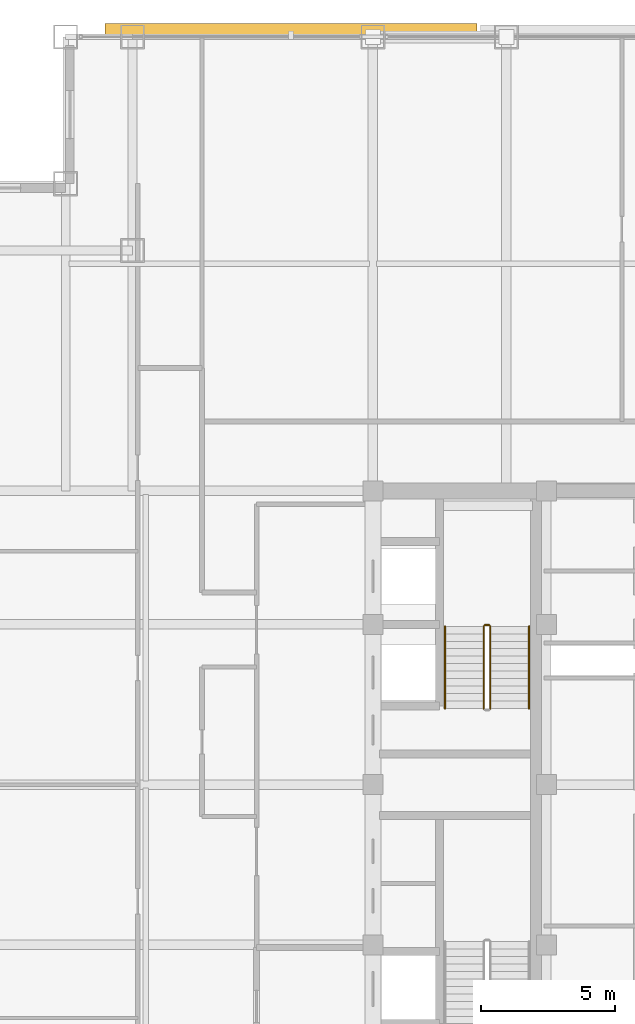
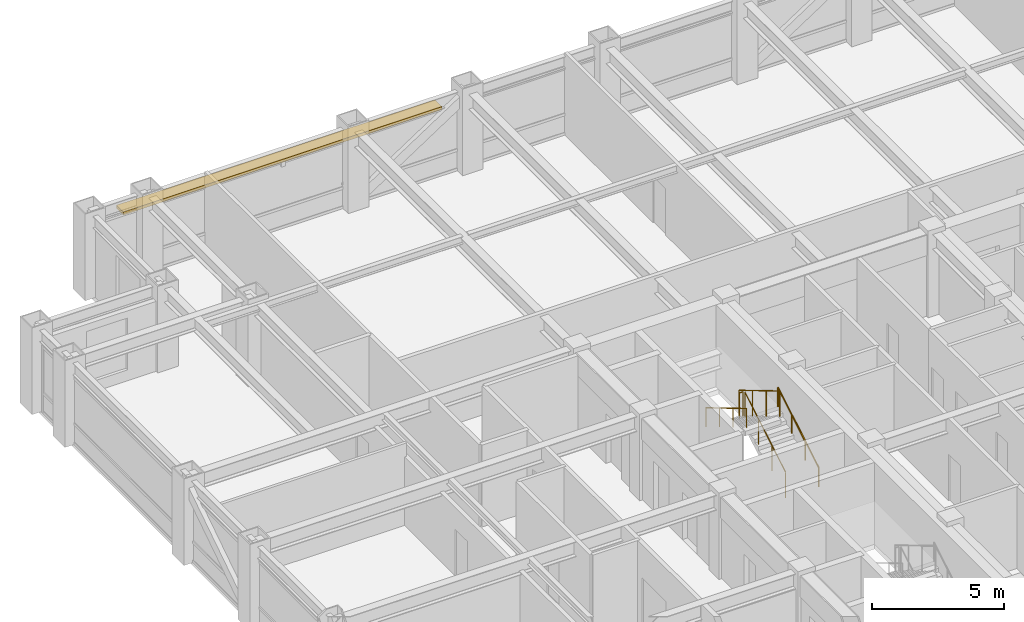
# One storey, part 26 of 27: 5 railings, 1 shading device.
"""IFC4 building model written with IfcOpenShell, lengths in metres."""

from ifc_helpers import new_model, si_unit, direction, frame, origin, origin_2d, place, context, subcontext, project, spatial, rectangle, circle, extrude, source, transform, mapped, material, layer, layer_set, type_object, element, save


model = new_model("IFC4")

# Units and contexts
model_context = context("Model", 3, precision=1e-05, world=origin(), true_north=direction((0.0, 1.0)))
body_context = subcontext(model_context, "Body", "Model", "MODEL_VIEW")
ifc_project = project(units=[si_unit("LENGTHUNIT", "METRE"), si_unit("AREAUNIT", "SQUARE_METRE"), si_unit("VOLUMEUNIT", "CUBIC_METRE"), si_unit("PLANEANGLEUNIT", "RADIAN"), si_unit("MASSUNIT", "GRAM", prefix="KILO")], contexts=[model_context])

# Site, building, storey
site_placement = place(None, origin())
site = spatial("IfcSite", under=ifc_project, at=site_placement, CompositionType="ELEMENT")
building_placement = place(site_placement, origin())
building = spatial("IfcBuilding", under=site, at=building_placement, Name="Khorayat Bourse Tower", CompositionType="ELEMENT")
storey_placement = place(building_placement, frame((0.0, 0.0, 317.5)))
storey = spatial("IfcBuildingStorey", under=building, at=storey_placement, Name="L75", CompositionType="ELEMENT", Elevation=317.5)

# Shading device
ifc_material_1 = material(Name="Precast concrete C45/55", Category="concrete")
ifc_layer = layer(ifc_material_1, 0.139892578125)
ifc_layer_set = layer_set([ifc_layer], Name="Precast concrete C45/55")
shading_device_type = type_object("IfcShadingDeviceType", Name="SHD-WAVE-TRAY-A", PredefinedType="USERDEFINED", material=ifc_layer_set)
shared_shape_1 = source(origin(), body_context, "Body", "SweptSolid", [
    extrude(rectangle(XDim=13.9267578125, YDim=0.523193359375, at=origin_2d()), origin(), (0.0, 0.0, 1.0), 0.139892578125),
])
shading_device_placement = place(storey_placement, frame((-14.066650390625, 28.24169921875, 3.0302734375), z_axis=(0.0, 0.0, 1.0), x_axis=(1.0, 0.0, 0.0)))
element("IfcShadingDevice", 1, at=shading_device_placement, inside=storey, type_object=shading_device_type, Name="L75 Sinusoidal Wave Sunshade Tray N-1", ObjectType="SUNSHADE", PredefinedType="USERDEFINED", context=body_context, shape_type="MappedRepresentation", body=[
    mapped(shared_shape_1, transform((0.0, 0.0, 0.0), scale=1.0)),
])

# Railings
ifc_material_2 = material(Name="Powder-coated steel balustrade", Category="steel")
railing_type_1 = type_object("IfcRailingType", Name="RLG-GUARD-1200", PredefinedType="GUARDRAIL", material=ifc_material_2)
shared_shape_2 = source(origin(), body_context, "Body", "SweptSolid", [
    extrude(circle(Radius=0.02392578125, at=origin_2d()), frame((0.0, 0.0, 1.17578125), z_axis=(-1.0, 0.0, 0.0), x_axis=(0.0, -1.0, 0.0)), (0.0, 0.0, 1.0), 0.150146484375),
    extrude(circle(Radius=0.02099609375, at=origin_2d()), origin(), (0.0, 0.0, 1.0), 1.15185546875),
    extrude(circle(Radius=0.02099609375, at=origin_2d()), frame((-0.150146484375, 0.0, 0.0)), (0.0, 0.0, 1.0), 1.15185546875),
])
railing_1_placement = place(storey_placement, frame((-6.64990234375, 5.97998046875, 2.0)))
element("IfcRailing", 2, at=railing_1_placement, inside=storey, type_object=railing_type_1, Name="L75 ST-2 stair guard 2", PredefinedType="GUARDRAIL", context=body_context, shape_type="MappedRepresentation", body=[
    mapped(shared_shape_2, transform((0.0, 0.0, 0.0), scale=1.0)),
])
shared_shape_3 = source(origin(), body_context, "Body", "SweptSolid", [
    extrude(circle(Radius=0.02392578125, at=origin_2d()), frame((0.0, 0.0, 1.17578125), z_axis=(0.0, 0.859290745958, 0.51148745235), x_axis=(-1.0, 0.0, 0.0)), (0.0, 0.0, 1.0), 3.584228515625),
    extrude(circle(Radius=0.02099609375, at=origin_2d()), origin(), (0.0, 0.0, 1.0), 1.15185546875),
    extrude(circle(Radius=0.02099609375, at=origin_2d()), frame((0.0, 1.026611328125, 0.611083984375)), (0.0, 0.0, 1.0), 1.15185546875),
    extrude(circle(Radius=0.02099609375, at=origin_2d()), frame((0.0, 2.05322265625, 1.22216796875)), (0.0, 0.0, 1.0), 1.15185546875),
    extrude(circle(Radius=0.02099609375, at=origin_2d()), frame((0.0, 3.079833984375, 1.833251953125)), (0.0, 0.0, 1.0), 1.15185546875),
])
railing_2_placement = place(storey_placement, frame((-6.60009765625, 2.85009765625, 0.166748046875)))
element("IfcRailing", 3, at=railing_2_placement, inside=storey, type_object=railing_type_1, Name="L75 ST-2 stair guard 1", PredefinedType="GUARDRAIL", context=body_context, shape_type="MappedRepresentation", body=[
    mapped(shared_shape_3, transform((0.0, 0.0, 0.0), scale=1.0)),
])
shared_shape_4 = source(origin(), body_context, "Body", "SweptSolid", [
    extrude(circle(Radius=0.02392578125, at=origin_2d()), frame((0.0, 0.0, 1.17578125), z_axis=(0.0, -0.859290745958, 0.51148745235), x_axis=(1.0, 0.0, 0.0)), (0.0, 0.0, 1.0), 3.584228515625),
    extrude(circle(Radius=0.02099609375, at=origin_2d()), origin(), (0.0, 0.0, 1.0), 1.15185546875),
    extrude(circle(Radius=0.02099609375, at=origin_2d()), frame((0.0, -1.026611328125, 0.611083984375)), (0.0, 0.0, 1.0), 1.15185546875),
    extrude(circle(Radius=0.02099609375, at=origin_2d()), frame((0.0, -2.05322265625, 1.22216796875)), (0.0, 0.0, 1.0), 1.15185546875),
    extrude(circle(Radius=0.02099609375, at=origin_2d()), frame((0.0, -3.079833984375, 1.833251953125)), (0.0, 0.0, 1.0), 1.15185546875),
])
railing_3_placement = place(storey_placement, frame((-6.85009765625, 5.929931640625, 2.166748046875)))
element("IfcRailing", 4, at=railing_3_placement, inside=storey, type_object=railing_type_1, Name="L75 ST-2 stair guard 3", PredefinedType="GUARDRAIL", context=body_context, shape_type="MappedRepresentation", body=[
    mapped(shared_shape_4, transform((0.0, 0.0, 0.0), scale=1.0)),
])
ifc_material_3 = material(Name="Brushed bronze stainless-steel handrail", Category="steel")
railing_type_2 = type_object("IfcRailingType", Name="RLG-HAND-900", PredefinedType="HANDRAIL", material=ifc_material_3)
shared_shape_5 = source(origin(), body_context, "Body", "SweptSolid", [
    extrude(circle(Radius=0.02392578125, at=origin_2d()), frame((0.0, 0.0, 0.8759765625), z_axis=(0.0, 0.859290745958, 0.51148745235), x_axis=(-1.0, 0.0, 0.0)), (0.0, 0.0, 1.0), 3.584228515625),
    extrude(circle(Radius=0.02099609375, at=origin_2d()), origin(), (0.0, 0.0, 1.0), 0.851806640625),
    extrude(circle(Radius=0.02099609375, at=origin_2d()), frame((0.0, 1.026611328125, 0.611083984375)), (0.0, 0.0, 1.0), 0.851806640625),
    extrude(circle(Radius=0.02099609375, at=origin_2d()), frame((0.0, 2.05322265625, 1.22216796875)), (0.0, 0.0, 1.0), 0.851806640625),
    extrude(circle(Radius=0.02099609375, at=origin_2d()), frame((0.0, 3.079833984375, 1.833251953125)), (0.0, 0.0, 1.0), 0.851806640625),
])
railing_4_placement = place(storey_placement, frame((-5.14990234375, 2.85009765625, 0.166748046875)))
element("IfcRailing", 5, at=railing_4_placement, inside=storey, type_object=railing_type_2, Name="L75 ST-2 stair handrail 1", PredefinedType="HANDRAIL", context=body_context, shape_type="MappedRepresentation", body=[
    mapped(shared_shape_5, transform((0.0, 0.0, 0.0), scale=1.0)),
])
shared_shape_6 = source(origin(), body_context, "Body", "SweptSolid", [
    extrude(circle(Radius=0.02392578125, at=origin_2d()), frame((0.0, 0.0, 0.8759765625), z_axis=(0.0, -0.859290745958, 0.51148745235), x_axis=(1.0, 0.0, 0.0)), (0.0, 0.0, 1.0), 3.584228515625),
    extrude(circle(Radius=0.02099609375, at=origin_2d()), origin(), (0.0, 0.0, 1.0), 0.851806640625),
    extrude(circle(Radius=0.02099609375, at=origin_2d()), frame((0.0, -1.026611328125, 0.611083984375)), (0.0, 0.0, 1.0), 0.851806640625),
    extrude(circle(Radius=0.02099609375, at=origin_2d()), frame((0.0, -2.05322265625, 1.22216796875)), (0.0, 0.0, 1.0), 0.851806640625),
    extrude(circle(Radius=0.02099609375, at=origin_2d()), frame((0.0, -3.079833984375, 1.833251953125)), (0.0, 0.0, 1.0), 0.851806640625),
])
railing_5_placement = place(storey_placement, frame((-8.300048828125, 5.929931640625, 2.166748046875)))
element("IfcRailing", 6, at=railing_5_placement, inside=storey, type_object=railing_type_2, Name="L75 ST-2 stair handrail 2", PredefinedType="HANDRAIL", context=body_context, shape_type="MappedRepresentation", body=[
    mapped(shared_shape_6, transform((0.0, 0.0, 0.0), scale=1.0)),
])

save(model, "model.ifc")
